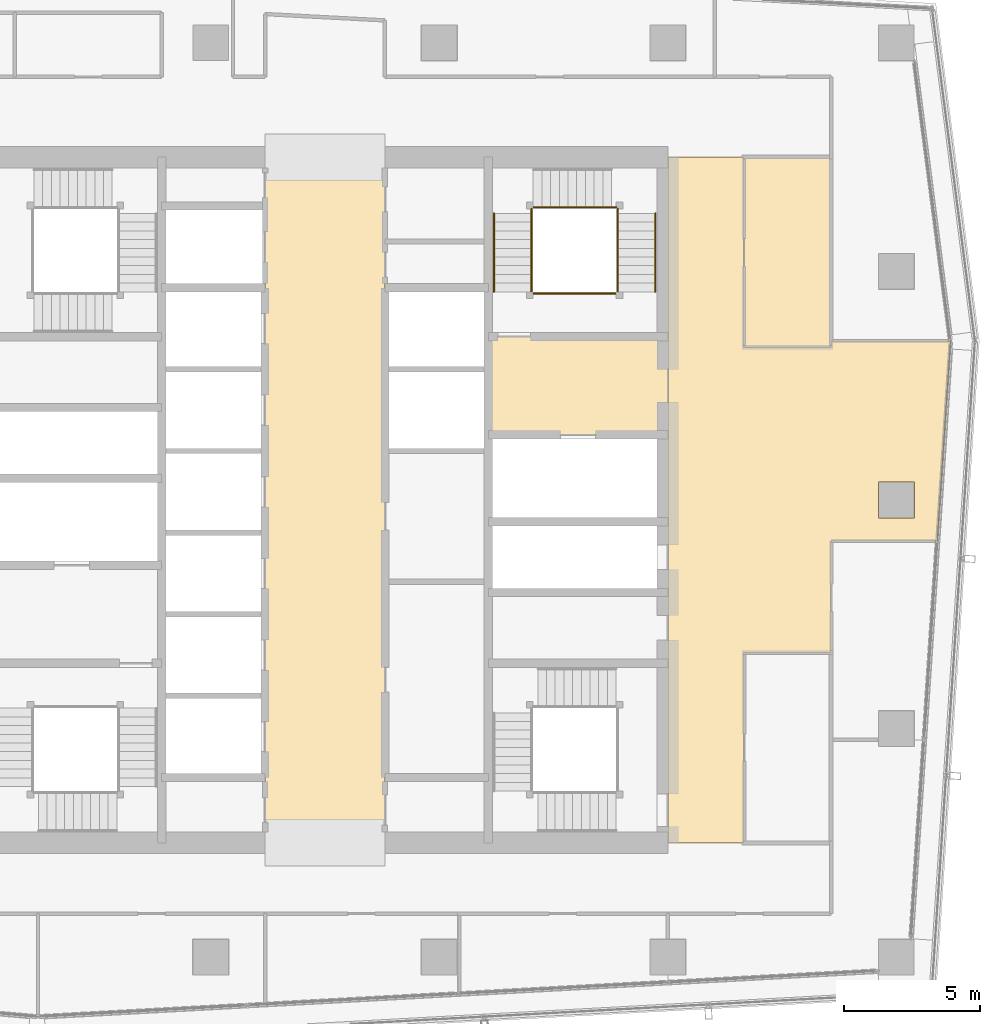
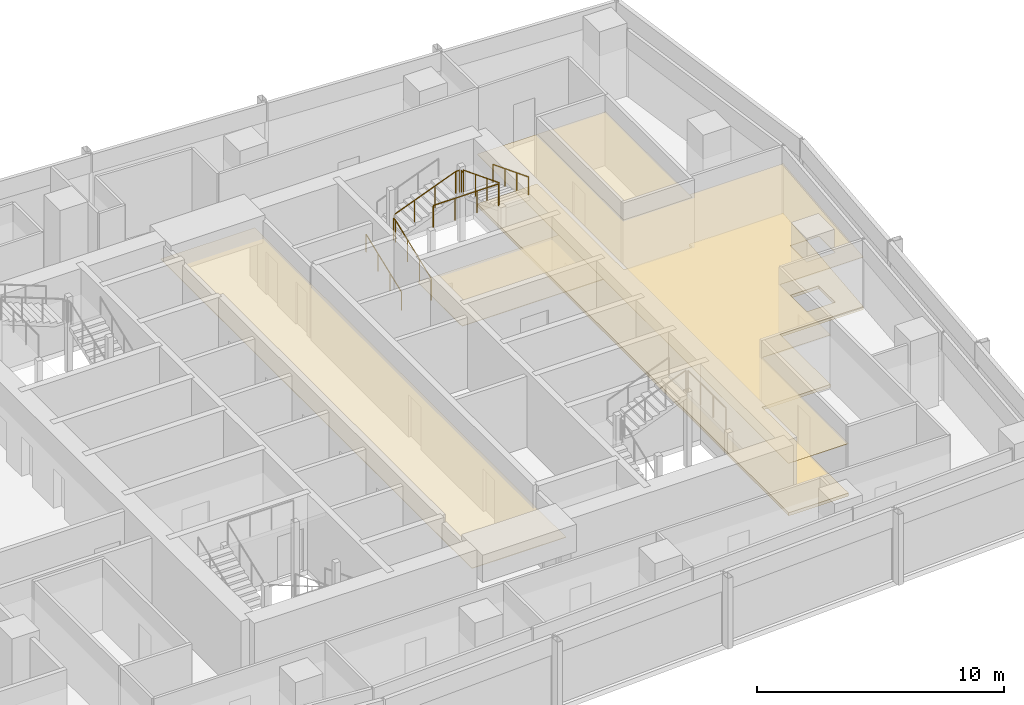
# One storey, part 27 of 28: 9 railings, 5 coverings.
"""IFC4 building model written with IfcOpenShell, lengths in metres."""

import ifcopenshell
import ifcopenshell.guid

model = None  # the IFC model being written
_history = None  # IfcOwnerHistory: only IFC2X3 demands one
_inside = {}  # id of a spatial element -> (the spatial element, [elements in it])
_under = {}  # id of a project, library or spatial element -> (it, [spatial elements below it])
_declared = {}  # id of a project -> (the project, [libraries it declares])
_typed = {}  # id of a type object -> (the type object, [elements of that type])
_made_of = {}  # id of a material, layer set ... -> (it, [elements and type objects made of it])


def new_model(schema):
    """Start an empty IFC model of exactly this schema.

    Asked for "IFC4X3", IfcOpenShell would pick the latest addendum, in which some entities
    have other attributes; the version numbers below select the first issue.
    IFC2X3 requires an IfcOwnerHistory on every rooted entity: one is made here for all.
    """
    global model, _history
    if schema == "IFC4X3":
        model = ifcopenshell.file(schema_version=(4, 3, 0, 0))
    else:
        model = ifcopenshell.file(schema=schema)
    _inside.clear()
    _under.clear()
    _declared.clear()
    _typed.clear()
    _made_of.clear()
    _history = None
    if model.schema == "IFC2X3":
        org = make("IfcOrganization", Name="unknown")
        user = make(
            "IfcPersonAndOrganization",
            ThePerson=make("IfcPerson", FamilyName="unknown"),
            TheOrganization=org,
        )
        app = make(
            "IfcApplication",
            ApplicationDeveloper=org,
            Version="unknown",
            ApplicationFullName="unknown",
            ApplicationIdentifier="unknown",
        )
        _history = make(
            "IfcOwnerHistory",
            OwningUser=user,
            OwningApplication=app,
            ChangeAction="ADDED",
            CreationDate=0,
        )
    return model


def make(cls, **values):
    """One entity of the class cls with the attributes given. An attribute that is None is left unset."""
    return model.create_entity(
        cls, **{name: value for name, value in values.items() if value is not None}
    )


def rooted(cls, **values):
    """An entity with a GlobalId (a new one), such as an element, a storey or a relation."""
    return make(cls, GlobalId=ifcopenshell.guid.new(), OwnerHistory=_history, **values)


def si_unit(unit_type, name, prefix=None):
    """IfcSIUnit, for example si_unit("LENGTHUNIT", "METRE", prefix="MILLI")."""
    return make("IfcSIUnit", UnitType=unit_type, Prefix=prefix, Name=name)


def assignment(units):
    """IfcUnitAssignment: the units of a project."""
    return None if units is None else make("IfcUnitAssignment", Units=units)


def point(xyz):
    """IfcCartesianPoint."""
    return None if xyz is None else make("IfcCartesianPoint", Coordinates=xyz)


def direction(xyz):
    """IfcDirection."""
    return None if xyz is None else make("IfcDirection", DirectionRatios=xyz)


def frame(location, z_axis=None, x_axis=None):
    """IfcAxis2Placement3D, a coordinate frame: its origin and axes. An axis left out is left unset."""
    return make(
        "IfcAxis2Placement3D",
        Location=point(location),
        Axis=direction(z_axis),
        RefDirection=direction(x_axis),
    )


def frame_2d(location, x_axis=None):
    """IfcAxis2Placement2D, a coordinate frame in the plane: its origin and x axis."""
    return make(
        "IfcAxis2Placement2D", Location=point(location), RefDirection=direction(x_axis)
    )


def origin():
    """The frame at (0, 0, 0) with its axes left unset."""
    return frame((0.0, 0.0, 0.0))


def origin_2d():
    """The frame at (0, 0) in the plane with its x axis left unset."""
    return frame_2d((0.0, 0.0))


def place(relative_to, where):
    """IfcLocalPlacement: puts the frame where relative to a parent placement (None: the world)."""
    return make(
        "IfcLocalPlacement", PlacementRelTo=relative_to, RelativePlacement=where
    )


def context(
    kind, dimensions, precision=None, world=None, true_north=None, identifier=None
):
    """IfcGeometricRepresentationContext, for example the 3D "Model" context."""
    return make(
        "IfcGeometricRepresentationContext",
        ContextIdentifier=identifier,
        ContextType=kind,
        CoordinateSpaceDimension=dimensions,
        Precision=precision,
        WorldCoordinateSystem=world,
        TrueNorth=true_north,
    )


def subcontext(parent, identifier, kind, view, scale=None):
    """IfcGeometricRepresentationSubContext, for example "Body" below "Model"."""
    return make(
        "IfcGeometricRepresentationSubContext",
        ContextIdentifier=identifier,
        ContextType=kind,
        ParentContext=parent,
        TargetScale=scale,
        TargetView=view,
    )


def project(units=None, contexts=None):
    """IfcProject with its units and contexts."""
    return rooted(
        "IfcProject",
        Name="project",
        RepresentationContexts=contexts,
        UnitsInContext=assignment(units),
    )


def spatial(cls, under=None, at=None, **own):
    """A site, building, storey or space (cls), placed at a placement, below another one or the project."""
    s = rooted(cls, ObjectPlacement=at, **own)
    if under is not None:
        _under.setdefault(under.id(), (under, []))[1].append(s)
    return s


def polyline(points):
    """IfcPolyline through the points."""
    return make("IfcPolyline", Points=[point(p) for p in points])


def profile(cls, at=None, kind="AREA", **sizes):
    """A parametric profile (cls). Its sizes go by their IFC names, for example OverallWidth=200.0."""
    return make(cls, ProfileType=kind, Position=at, **sizes)


def circle(**sizes):
    """IfcCircleProfileDef."""
    return profile("IfcCircleProfileDef", **sizes)


def outline(outer, holes=None, kind="AREA"):
    """IfcArbitraryClosedProfileDef: a profile drawn as a closed curve; with holes, ...WithVoids."""
    if holes is None:
        return make("IfcArbitraryClosedProfileDef", ProfileType=kind, OuterCurve=outer)
    return make(
        "IfcArbitraryProfileDefWithVoids",
        ProfileType=kind,
        OuterCurve=outer,
        InnerCurves=holes,
    )


def extrude(swept, where, along, depth):
    """IfcExtrudedAreaSolid: the profile swept, set in the frame where, extruded along a direction by depth."""
    return make(
        "IfcExtrudedAreaSolid",
        SweptArea=swept,
        Position=where,
        ExtrudedDirection=direction(along),
        Depth=depth,
    )


def shape(context_of_items, identifier, shape_type, items):
    """IfcShapeRepresentation: the items that make up one representation, for example the "Body"."""
    return make(
        "IfcShapeRepresentation",
        ContextOfItems=context_of_items,
        RepresentationIdentifier=identifier,
        RepresentationType=shape_type,
        Items=items,
    )


def material(Name=None, Category=None):
    """IfcMaterial."""
    return make("IfcMaterial", Name=Name, Category=Category)


def layer(
    of_material, thickness, ventilated=None, Name=None, Category=None, Priority=None
):
    """IfcMaterialLayer: one layer of a wall or slab, of a material (None: an air gap)."""
    return make(
        "IfcMaterialLayer",
        Material=of_material,
        LayerThickness=thickness,
        IsVentilated=ventilated,
        Name=Name,
        Category=Category,
        Priority=Priority,
    )


def layer_set(layers, Name=None):
    """IfcMaterialLayerSet."""
    return make("IfcMaterialLayerSet", MaterialLayers=layers, LayerSetName=Name)


def made_of(thing, what):
    """Note that an element or type object is made of a material, layer set ...; save() writes the relation."""
    if what is not None:
        _made_of.setdefault(what.id(), (what, []))[1].append(thing)
    return thing


def type_object(cls, material=None, **own):
    """A type object (cls), such as IfcWallType, which elements share."""
    return made_of(rooted(cls, **own), material)


def element(
    cls,
    number,
    at=None,
    inside=None,
    cuts=None,
    type_object=None,
    material=None,
    context=None,
    identifier="Body",
    shape_type=None,
    held_by="IfcProductDefinitionShape",
    body=None,
    shapes=None,
    **own,
):
    """One element of the class cls, such as IfcWall. Its Tag is "e" and its number.

    at: its placement. inside: the storey or other place that contains it. cuts: it is an
    opening in that element (IfcRelVoidsElement). A single representation is given by context,
    identifier, shape_type and body (its items); several are given by shapes. held_by: the class
    of the entity that holds the representations. save() writes the other relations.
    """
    e = rooted(cls, Tag="e%d" % number, ObjectPlacement=at, **own)
    if body is not None:
        shapes = [shape(context, identifier, shape_type, body)]
    if shapes is not None:
        e.Representation = make(held_by, Representations=shapes)
    if inside is not None:
        _inside.setdefault(inside.id(), (inside, []))[1].append(e)
    if cuts is not None:
        rooted(
            "IfcRelVoidsElement", RelatingBuildingElement=cuts, RelatedOpeningElement=e
        )
    if type_object is not None:
        _typed.setdefault(type_object.id(), (type_object, []))[1].append(e)
    return made_of(e, material)


def aggregate(whole, parts):
    """IfcRelAggregates: a whole, such as a stair, and the parts it consists of."""
    return rooted("IfcRelAggregates", RelatingObject=whole, RelatedObjects=parts)


def save(model, path):
    """Write the relations noted so far, then the file.

    IfcRelAggregates (storeys below a building ...), IfcRelContainedInSpatialStructure (elements
    in a storey), IfcRelDefinesByType, IfcRelAssociatesMaterial and IfcRelDeclares: one each for
    every whole, place, type object, material and project.
    """
    for whole, parts in _under.values():
        aggregate(whole, parts)
    for where, things in _inside.values():
        rooted(
            "IfcRelContainedInSpatialStructure",
            RelatedElements=things,
            RelatingStructure=where,
        )
    for kind, things in _typed.values():
        rooted("IfcRelDefinesByType", RelatedObjects=things, RelatingType=kind)
    for what, things in _made_of.values():
        rooted("IfcRelAssociatesMaterial", RelatedObjects=things, RelatingMaterial=what)
    for by, libraries in _declared.values():
        rooted("IfcRelDeclares", RelatingContext=by, RelatedDefinitions=libraries)
    model.write(path)


model = new_model("IFC4")

# Units and contexts
model_context = context("Model", 3, precision=1e-05, world=origin(), true_north=direction((0.0, 1.0)))
body_context = subcontext(model_context, "Body", "Model", "MODEL_VIEW")
ifc_project = project(units=[si_unit("LENGTHUNIT", "METRE"), si_unit("AREAUNIT", "SQUARE_METRE"), si_unit("VOLUMEUNIT", "CUBIC_METRE"), si_unit("PLANEANGLEUNIT", "RADIAN"), si_unit("MASSUNIT", "GRAM", prefix="KILO")], contexts=[model_context])

# Site, building, storey
site_placement = place(None, origin())
site = spatial("IfcSite", under=ifc_project, at=site_placement, CompositionType="ELEMENT")
building_placement = place(site_placement, origin())
building = spatial("IfcBuilding", under=site, at=building_placement, Name="Rekha Terrace Tower", CompositionType="ELEMENT")
storey_placement = place(building_placement, frame((0.0, 0.0, 268.85009765625)))
storey = spatial("IfcBuildingStorey", under=building, at=storey_placement, Name="L68", CompositionType="ELEMENT", Elevation=268.85009765625)

# Coverings
ifc_material_1 = material(Name="Mineral fibre tile in exposed grid", Category="finish")
ifc_layer_1 = layer(ifc_material_1, 0.02001953125)
ifc_layer_set_1 = layer_set([ifc_layer_1], Name="Mineral fibre tile in exposed grid")
covering_type_1 = type_object("IfcCoveringType", Name="CL1 600x1200 office grid ceiling", PredefinedType="CEILING", material=ifc_layer_set_1)
covering_1_placement = place(storey_placement, frame((0.0, 0.0, 2.579833984375)))
element("IfcCovering", 1, at=covering_1_placement, inside=storey, type_object=covering_type_1, Name="Ceiling L68-O2c", PredefinedType="CEILING", context=body_context, shape_type="SweptSolid", body=[
    extrude(outline(polyline([(56.39990234375, 32.095947265625), (60.300048828125, 32.095947265625), (60.784912109375, 39.406982421875), (60.781005859375, 39.43994140625), (56.39990234375, 39.43994140625), (56.39990234375, 39.199951171875), (53.199951171875, 39.199951171875), (53.199951171875, 46.199951171875), (50.39990234375, 46.199951171875), (50.39990234375, 21.0), (53.199951171875, 21.0), (53.199951171875, 28.0), (56.39990234375, 28.0), (56.39990234375, 32.095947265625)]), holes=[polyline([(59.465087890625, 34.264892578125), (59.465087890625, 32.93505859375), (58.135009765625, 32.93505859375), (58.135009765625, 34.264892578125), (59.465087890625, 34.264892578125)])]), origin(), (0.0, 0.0, 1.0), 0.02001953125),
])
ifc_material_2 = material(Name="Fibre cement board", Category="finish")
ifc_layer_2 = layer(ifc_material_2, 0.014892578125)
ifc_layer_set_2 = layer_set([ifc_layer_2], Name="Fibre cement board")
covering_type_2 = type_object("IfcCoveringType", Name="CL2 moisture-resistant board ceiling", PredefinedType="CEILING", material=ifc_layer_set_2)
covering_2_placement = place(storey_placement, frame((0.0, 0.0, 2.5849609375)))
element("IfcCovering", 2, at=covering_2_placement, inside=storey, type_object=covering_type_2, Name="Ceiling L68-WCF", PredefinedType="CEILING", context=body_context, shape_type="SweptSolid", body=[
    extrude(outline(polyline([(56.39990234375, 46.199951171875), (53.199951171875, 46.199951171875), (53.199951171875, 39.199951171875), (56.39990234375, 39.199951171875), (56.39990234375, 46.199951171875)])), origin(), (0.0, 0.0, 1.0), 0.014892578125),
])
ifc_material_3 = material(Name="Powder-coated aluminium pan", Category="aluminium")
ifc_layer_3 = layer(ifc_material_3, 0.030029296875)
ifc_layer_set_3 = layer_set([ifc_layer_3], Name="Powder-coated aluminium pan")
covering_type_3 = type_object("IfcCoveringType", Name="CL3 300x1200 metal pan ceiling", PredefinedType="CEILING", material=ifc_layer_set_3)
covering_3_placement = place(storey_placement, frame((0.0, 0.0, 2.56982421875)))
element("IfcCovering", 3, at=covering_3_placement, inside=storey, type_object=covering_type_3, Name="Ceiling L68-LOBBY", PredefinedType="CEILING", context=body_context, shape_type="SweptSolid", body=[
    extrude(outline(polyline([(40.0, 46.199951171875), (35.60009765625, 46.199951171875), (35.60009765625, 21.0), (40.0, 21.0), (40.0, 46.199951171875)])), origin(), (0.0, 0.0, 1.0), 0.030029296875),
])
covering_4_placement = place(storey_placement, frame((0.0, 0.0, 2.56982421875)))
element("IfcCovering", 4, at=covering_4_placement, inside=storey, type_object=covering_type_3, Name="Ceiling L68-FLB2", PredefinedType="CEILING", context=body_context, shape_type="SweptSolid", body=[
    extrude(outline(polyline([(50.39990234375, 39.60009765625), (43.800048828125, 39.60009765625), (43.800048828125, 36.0), (50.39990234375, 36.0), (50.39990234375, 39.60009765625)])), origin(), (0.0, 0.0, 1.0), 0.030029296875),
])

# Railings
ifc_material_4 = material(Name="Stainless steel balustrade", Category="steel")
railing_type_1 = type_object("IfcRailingType", Name="GR1 1100 stair guard", PredefinedType="GUARDRAIL", material=ifc_material_4)
railing_1_placement = place(storey_placement, frame((45.389892578125, 41.25, 0.125)))
element("IfcRailing", 5, at=railing_1_placement, inside=storey, type_object=railing_type_1, Name="Guard ST2 L68 flight 1", PredefinedType="GUARDRAIL", context=body_context, shape_type="SweptSolid", body=[
    extrude(circle(Radius=0.02392578125, at=origin_2d()), frame((0.0, 0.0, 1.076171875), z_axis=(0.0, 0.931452331594, 0.363863372667), x_axis=(-1.0, 0.0, 0.0)), (0.0, 0.0, 1.0), 3.091796875),
    extrude(circle(Radius=0.02099609375, at=origin_2d()), origin(), (0.0, 0.0, 1.0), 1.052001953125),
    extrude(circle(Radius=0.02099609375, at=origin_2d()), frame((0.0, 0.9599609375, 0.375)), (0.0, 0.0, 1.0), 1.052001953125),
    extrude(circle(Radius=0.02099609375, at=origin_2d()), frame((0.0, 1.919921875, 0.75)), (0.0, 0.0, 1.0), 1.052001953125),
    extrude(circle(Radius=0.02099609375, at=origin_2d()), frame((0.0, 2.8798828125, 1.125)), (0.0, 0.0, 1.0), 1.052001953125),
])
railing_2_placement = place(storey_placement, frame((45.449951171875, 44.360107421875, 1.375)))
element("IfcRailing", 6, at=railing_2_placement, inside=storey, type_object=railing_type_1, Name="Guard ST2 L68 flight 2", PredefinedType="GUARDRAIL", context=body_context, shape_type="SweptSolid", body=[
    extrude(circle(Radius=0.02392578125, at=origin_2d()), frame((0.0, 0.0, 1.076171875), z_axis=(0.931462784923, 0.0, 0.363836612098), x_axis=(0.0, 1.0, 0.0)), (0.0, 0.0, 1.0), 3.092041015625),
    extrude(circle(Radius=0.02099609375, at=origin_2d()), origin(), (0.0, 0.0, 1.0), 1.052001953125),
    extrude(circle(Radius=0.02099609375, at=origin_2d()), frame((0.9599609375, 0.0, 0.375)), (0.0, 0.0, 1.0), 1.052001953125),
    extrude(circle(Radius=0.02099609375, at=origin_2d()), frame((1.920166015625, 0.0, 0.75)), (0.0, 0.0, 1.0), 1.052001953125),
    extrude(circle(Radius=0.02099609375, at=origin_2d()), frame((2.880126953125, 0.0, 1.125)), (0.0, 0.0, 1.0), 1.052001953125),
])
railing_3_placement = place(storey_placement, frame((48.56005859375, 44.1298828125, 2.625)))
element("IfcRailing", 7, at=railing_3_placement, inside=storey, type_object=railing_type_1, Name="Guard ST2 L68 flight 3", PredefinedType="GUARDRAIL", context=body_context, shape_type="SweptSolid", body=[
    extrude(circle(Radius=0.02392578125, at=origin_2d()), frame((0.0, 0.0, 1.076171875), z_axis=(0.0, -0.931452331594, 0.363863372667), x_axis=(1.0, 0.0, 0.0)), (0.0, 0.0, 1.0), 3.091796875),
    extrude(circle(Radius=0.02099609375, at=origin_2d()), origin(), (0.0, 0.0, 1.0), 1.052001953125),
    extrude(circle(Radius=0.02099609375, at=origin_2d()), frame((0.0, -0.9599609375, 0.375)), (0.0, 0.0, 1.0), 1.052001953125),
    extrude(circle(Radius=0.02099609375, at=origin_2d()), frame((0.0, -1.919921875, 0.75)), (0.0, 0.0, 1.0), 1.052001953125),
    extrude(circle(Radius=0.02099609375, at=origin_2d()), frame((0.0, -2.8798828125, 1.125)), (0.0, 0.0, 1.0), 1.052001953125),
])
railing_4_placement = place(storey_placement, frame((45.389892578125, 44.1298828125, 1.25)))
element("IfcRailing", 8, at=railing_4_placement, inside=storey, type_object=railing_type_1, Name="Guard ST2 L68 landing 1", PredefinedType="GUARDRAIL", context=body_context, shape_type="SweptSolid", body=[
    extrude(circle(Radius=0.02392578125, at=origin_2d()), frame((0.0, 0.0, 1.076171875), z_axis=(0.0, 1.0, 0.0), x_axis=(-1.0, 0.0, 0.0)), (0.0, 0.0, 1.0), 0.170166015625),
    extrude(circle(Radius=0.02099609375, at=origin_2d()), origin(), (0.0, 0.0, 1.0), 1.052001953125),
    extrude(circle(Radius=0.02099609375, at=origin_2d()), frame((0.0, 0.170166015625, 0.0)), (0.0, 0.0, 1.0), 1.052001953125),
])
railing_5_placement = place(storey_placement, frame((48.330078125, 44.360107421875, 2.5)))
element("IfcRailing", 9, at=railing_5_placement, inside=storey, type_object=railing_type_1, Name="Guard ST2 L68 landing 2", PredefinedType="GUARDRAIL", context=body_context, shape_type="SweptSolid", body=[
    extrude(circle(Radius=0.02392578125, at=origin_2d()), frame((0.0, 0.0, 1.076171875), z_axis=(1.0, 0.0, 0.0), x_axis=(0.0, 1.0, 0.0)), (0.0, 0.0, 1.0), 0.169921875),
    extrude(circle(Radius=0.02099609375, at=origin_2d()), origin(), (0.0, 0.0, 1.0), 1.052001953125),
    extrude(circle(Radius=0.02099609375, at=origin_2d()), frame((0.169921875, 0.0, 0.0)), (0.0, 0.0, 1.0), 1.052001953125),
])
railing_6_placement = place(storey_placement, frame((48.56005859375, 44.1298828125, 2.5)))
element("IfcRailing", 10, at=railing_6_placement, inside=storey, type_object=railing_type_1, Name="Guard ST2 L68 landing 3", PredefinedType="GUARDRAIL", context=body_context, shape_type="SweptSolid", body=[
    extrude(circle(Radius=0.02392578125, at=origin_2d()), frame((0.0, 0.0, 1.076171875), z_axis=(0.0, 1.0, 0.0), x_axis=(-1.0, 0.0, 0.0)), (0.0, 0.0, 1.0), 0.170166015625),
    extrude(circle(Radius=0.02099609375, at=origin_2d()), origin(), (0.0, 0.0, 1.0), 1.052001953125),
    extrude(circle(Radius=0.02099609375, at=origin_2d()), frame((0.0, 0.170166015625, 0.0)), (0.0, 0.0, 1.0), 1.052001953125),
])
railing_7_placement = place(storey_placement, frame((45.449951171875, 41.18994140625, 3.75)))
element("IfcRailing", 11, at=railing_7_placement, inside=storey, type_object=railing_type_1, Name="Guard ST2 L68 landing 4", PredefinedType="GUARDRAIL", context=body_context, shape_type="SweptSolid", body=[
    extrude(circle(Radius=0.02392578125, at=origin_2d()), frame((0.0, 0.0, 1.076171875), z_axis=(1.0, 0.0, 0.0), x_axis=(0.0, 1.0, 0.0)), (0.0, 0.0, 1.0), 3.050048828125),
    extrude(circle(Radius=0.02099609375, at=origin_2d()), origin(), (0.0, 0.0, 1.0), 1.052001953125),
    extrude(circle(Radius=0.02099609375, at=origin_2d()), frame((1.0166015625, 0.0, 0.0)), (0.0, 0.0, 1.0), 1.052001953125),
    extrude(circle(Radius=0.02099609375, at=origin_2d()), frame((2.033447265625, 0.0, 0.0)), (0.0, 0.0, 1.0), 1.052001953125),
    extrude(circle(Radius=0.02099609375, at=origin_2d()), frame((3.050048828125, 0.0, 0.0)), (0.0, 0.0, 1.0), 1.052001953125),
])
ifc_material_5 = material(Name="Stainless steel tube", Category="steel")
railing_type_2 = type_object("IfcRailingType", Name="HR1 900 stair handrail", PredefinedType="HANDRAIL", material=ifc_material_5)
railing_8_placement = place(storey_placement, frame((44.010009765625, 41.25, 0.125)))
element("IfcRailing", 12, at=railing_8_placement, inside=storey, type_object=railing_type_2, Name="Handrail ST2 L68 flight 1", PredefinedType="HANDRAIL", context=body_context, shape_type="SweptSolid", body=[
    extrude(circle(Radius=0.02392578125, at=origin_2d()), frame((0.0, 0.0, 0.8759765625), z_axis=(0.0, 0.931452331594, 0.363863372667), x_axis=(-1.0, 0.0, 0.0)), (0.0, 0.0, 1.0), 3.091796875),
    extrude(circle(Radius=0.02099609375, at=origin_2d()), origin(), (0.0, 0.0, 1.0), 0.851806640625),
    extrude(circle(Radius=0.02099609375, at=origin_2d()), frame((0.0, 0.9599609375, 0.375)), (0.0, 0.0, 1.0), 0.851806640625),
    extrude(circle(Radius=0.02099609375, at=origin_2d()), frame((0.0, 1.919921875, 0.75)), (0.0, 0.0, 1.0), 0.851806640625),
    extrude(circle(Radius=0.02099609375, at=origin_2d()), frame((0.0, 2.8798828125, 1.125)), (0.0, 0.0, 1.0), 0.851806640625),
])
railing_9_placement = place(storey_placement, frame((49.93994140625, 44.1298828125, 2.625)))
element("IfcRailing", 13, at=railing_9_placement, inside=storey, type_object=railing_type_2, Name="Handrail ST2 L68 flight 3", PredefinedType="HANDRAIL", context=body_context, shape_type="SweptSolid", body=[
    extrude(circle(Radius=0.02392578125, at=origin_2d()), frame((0.0, 0.0, 0.8759765625), z_axis=(0.0, -0.931452331594, 0.363863372667), x_axis=(1.0, 0.0, 0.0)), (0.0, 0.0, 1.0), 3.091796875),
    extrude(circle(Radius=0.02099609375, at=origin_2d()), origin(), (0.0, 0.0, 1.0), 0.851806640625),
    extrude(circle(Radius=0.02099609375, at=origin_2d()), frame((0.0, -0.9599609375, 0.375)), (0.0, 0.0, 1.0), 0.851806640625),
    extrude(circle(Radius=0.02099609375, at=origin_2d()), frame((0.0, -1.919921875, 0.75)), (0.0, 0.0, 1.0), 0.851806640625),
    extrude(circle(Radius=0.02099609375, at=origin_2d()), frame((0.0, -2.8798828125, 1.125)), (0.0, 0.0, 1.0), 0.851806640625),
])

# Covering
ifc_material_6 = material(Name="Calcium sulphate panels on steel pedestals", Category="steel")
ifc_layer_4 = layer(ifc_material_6, 0.14990234375)
ifc_layer_set_4 = layer_set([ifc_layer_4], Name="Calcium sulphate panels on steel pedestals")
covering_type_4 = type_object("IfcCoveringType", Name="RF1 150 raised access floor", PredefinedType="FLOORING", material=ifc_layer_set_4)
covering_5_placement = place(storey_placement, origin())
element("IfcCovering", 14, at=covering_5_placement, inside=storey, type_object=covering_type_4, Name="Raised floor L68-O2c", PredefinedType="FLOORING", context=body_context, shape_type="SweptSolid", body=[
    extrude(outline(polyline([(56.39990234375, 32.095947265625), (60.300048828125, 32.095947265625), (60.784912109375, 39.406982421875), (60.781005859375, 39.43994140625), (56.39990234375, 39.43994140625), (56.39990234375, 39.199951171875), (53.199951171875, 39.199951171875), (53.199951171875, 46.199951171875), (50.39990234375, 46.199951171875), (50.39990234375, 21.0), (53.199951171875, 21.0), (53.199951171875, 28.0), (56.39990234375, 28.0), (56.39990234375, 32.095947265625)]), holes=[polyline([(59.465087890625, 34.264892578125), (59.465087890625, 32.93505859375), (58.135009765625, 32.93505859375), (58.135009765625, 34.264892578125), (59.465087890625, 34.264892578125)])]), origin(), (0.0, 0.0, 1.0), 0.14990234375),
])

save(model, "model.ifc")
